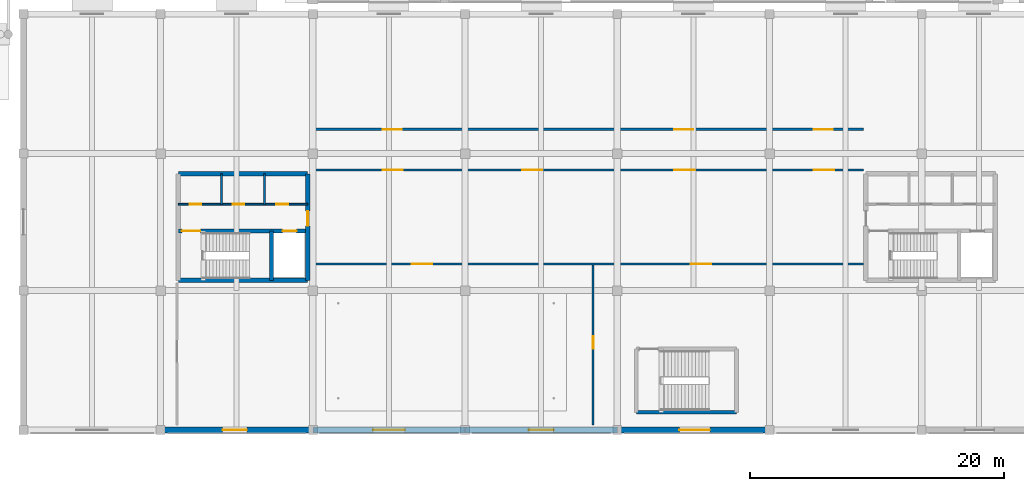
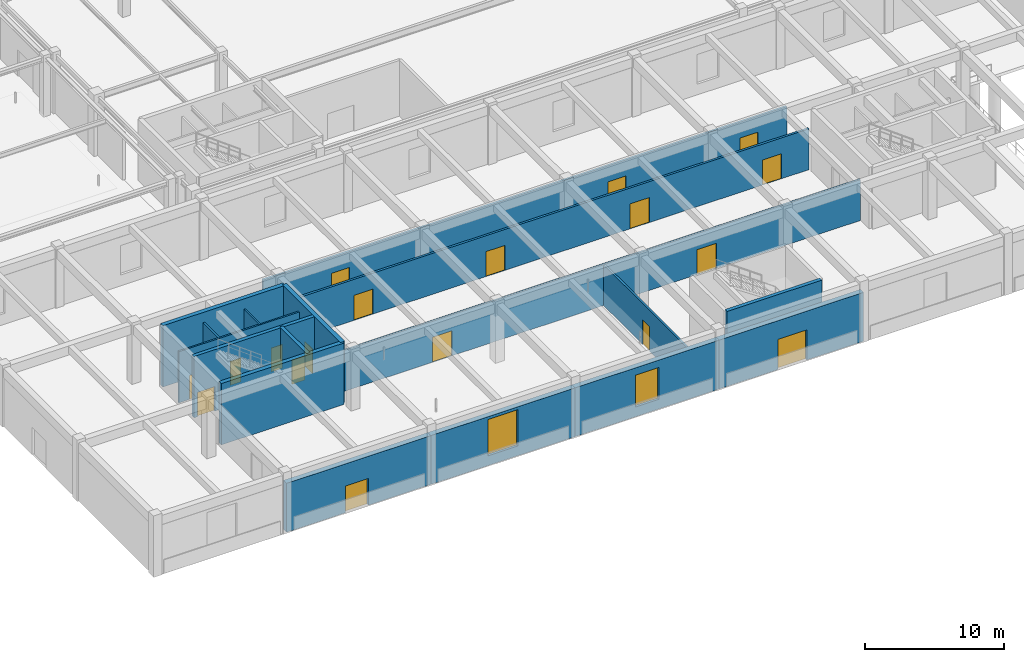
# One storey, part 30 of 53: 18 doors, 17 walls, 2 windows, 20 openings.
"""IFC4 building model written with IfcOpenShell, lengths in metres."""

from ifc_helpers import new_model, si_unit, derived_unit, direction, frame, frame_2d, origin, place, context, subcontext, project, spatial, rectangle, extrude, material, layer, layer_set, type_object, element, fill, save


model = new_model("IFC4")

# Units and contexts
model_context = context("Model", 3, precision=1e-05, world=origin(), true_north=direction((0.0, 1.0)))
body_context = subcontext(model_context, "Body", "Model", "MODEL_VIEW")
ifc_project = project(units=[si_unit("LENGTHUNIT", "METRE"), si_unit("AREAUNIT", "SQUARE_METRE"), si_unit("VOLUMEUNIT", "CUBIC_METRE"), si_unit("PLANEANGLEUNIT", "RADIAN"), si_unit("MASSUNIT", "GRAM", prefix="KILO"), derived_unit("THERMALTRANSMITTANCEUNIT", [(si_unit("POWERUNIT", "WATT"), 1), (si_unit("LENGTHUNIT", "METRE"), -2), (si_unit("THERMODYNAMICTEMPERATUREUNIT", "KELVIN"), -1)])], contexts=[model_context])

# Site, building, storey
site_placement = place(None, origin())
site = spatial("IfcSite", under=ifc_project, at=site_placement, CompositionType="ELEMENT")
building_placement = place(site_placement, origin())
building = spatial("IfcBuilding", under=site, at=building_placement, Name="Almenara Railside Exhibition Hall", CompositionType="ELEMENT")
storey_placement = place(building_placement, origin())
storey = spatial("IfcBuildingStorey", under=building, at=storey_placement, Name="L00", CompositionType="ELEMENT", Elevation=0.0)

# Wall, opening, door
ifc_material_1 = material(Name="Double-stud acoustic gypsum partition")
ifc_layer_1 = layer(ifc_material_1, 0.159912109375, Name="Double-stud acoustic gypsum partition")
ifc_layer_set_1 = layer_set([ifc_layer_1], Name="Double-stud acoustic gypsum partition")
wall_type_1 = type_object("IfcWallType", Name="Acoustic Congress Partition 160mm", PredefinedType="PARTITIONING", material=ifc_layer_set_1)
wall_1_placement = place(storey_placement, frame((160.10009765625, 0.39990234375, 0.0), z_axis=(0.0, 0.0, 1.0), x_axis=(0.0, 1.0, 0.0)))
wall_1 = element("IfcWall", 1, at=wall_1_placement, inside=storey, type_object=wall_type_1, Name="Interior wall 0372", PredefinedType="PARTITIONING", context=body_context, shape_type="SweptSolid", body=[
    extrude(rectangle(XDim=12.60009765625, YDim=0.159912109375, at=frame_2d((6.300048828125, 0.0))), origin(), (0.0, 0.0, 1.0), 3.60009765625),
])
opening_1_placement = place(wall_1_placement, frame((6.0, 0.0, 0.0)))
opening_1 = element("IfcOpeningElement", 2, at=opening_1_placement, cuts=wall_1, Name="Opening ID-10", PredefinedType="OPENING", context=body_context, shape_type="SweptSolid", body=[
    extrude(rectangle(XDim=1.0, YDim=2.14990234375, at=frame_2d((0.5, 1.074951171875))), frame((0.0, 0.08984375, 0.0), z_axis=(0.0, -1.0, 0.0), x_axis=(1.0, 0.0, 0.0)), (0.0, 0.0, 1.0), 0.179931640625),
])
ifc_material_2 = material(Name="Iroko hardwood single door", Category="wood")
door_type_1 = type_object("IfcDoorType", Name="Standard Room Single Door 1000x2150", OperationType="NOTDEFINED", PredefinedType="DOOR", material=ifc_material_2)
door_1_placement = place(opening_1_placement, origin())
door_1 = element("IfcDoor", 3, at=door_1_placement, inside=storey, type_object=door_type_1, Name="Interior door ID-10-234", OperationType="SINGLE_SWING_RIGHT", OverallHeight=2.14990234375, OverallWidth=1.0, PredefinedType="DOOR", context=body_context, shape_type="SweptSolid", body=[
    extrude(rectangle(XDim=1.0, YDim=2.14990234375, at=frame_2d((0.5, 1.074951171875))), frame((0.0, 0.02490234375, 0.0), z_axis=(0.0, -1.0, 0.0), x_axis=(1.0, 0.0, 0.0)), (0.0, 0.0, 1.0), 0.050048828125),
])
fill(opening_1, door_1)

# Wall, openings, doors
wall_2_placement = place(storey_placement, frame((137.800048828125, 13.10009765625, 0.0), z_axis=(0.0, 0.0, 1.0), x_axis=(1.0, 0.0, 0.0)))
wall_2 = element("IfcWall", 4, at=wall_2_placement, inside=storey, type_object=wall_type_1, Name="Interior wall 0373", PredefinedType="PARTITIONING", context=body_context, shape_type="SweptSolid", body=[
    extrude(rectangle(XDim=43.599853515625, YDim=0.159912109375, at=frame_2d((21.7998046875, 0.0))), origin(), (0.0, 0.0, 1.0), 3.60009765625),
])
opening_2_placement = place(wall_2_placement, frame((8.0, 0.0, 0.0)))
opening_2 = element("IfcOpeningElement", 5, at=opening_2_placement, cuts=wall_2, Name="Opening ID-16", PredefinedType="OPENING", context=body_context, shape_type="SweptSolid", body=[
    extrude(rectangle(XDim=1.60009765625, YDim=2.199951171875, at=frame_2d((0.800048828125, 1.10009765625))), frame((0.0, 0.08984375, 0.0), z_axis=(0.0, -1.0, 0.0), x_axis=(1.0, 0.0, 0.0)), (0.0, 0.0, 1.0), 0.179931640625),
])
opening_3_placement = place(wall_2_placement, frame((30.0, 0.0, 0.0)))
opening_3 = element("IfcOpeningElement", 6, at=opening_3_placement, cuts=wall_2, Name="Opening ID-16", PredefinedType="OPENING", context=body_context, shape_type="SweptSolid", body=[
    extrude(rectangle(XDim=1.60009765625, YDim=2.199951171875, at=frame_2d((0.800048828125, 1.10009765625))), frame((0.0, 0.08984375, 0.0), z_axis=(0.0, -1.0, 0.0), x_axis=(1.0, 0.0, 0.0)), (0.0, 0.0, 1.0), 0.179931640625),
])
ifc_material_3 = material(Name="Iroko hardwood double door", Category="wood")
door_type_2 = type_object("IfcDoorType", Name="Meeting Suite Double Door 1600x2200", OperationType="NOTDEFINED", PredefinedType="DOOR", material=ifc_material_3)
door_2_placement = place(opening_2_placement, origin())
door_2 = element("IfcDoor", 7, at=door_2_placement, inside=storey, type_object=door_type_2, Name="Interior door ID-16-235", OperationType="DOUBLE_DOOR_SINGLE_SWING", OverallHeight=2.199951171875, OverallWidth=1.60009765625, PredefinedType="DOOR", context=body_context, shape_type="SweptSolid", body=[
    extrude(rectangle(XDim=1.60009765625, YDim=2.199951171875, at=frame_2d((0.800048828125, 1.10009765625))), frame((0.0, 0.02490234375, 0.0), z_axis=(0.0, -1.0, 0.0), x_axis=(1.0, 0.0, 0.0)), (0.0, 0.0, 1.0), 0.050048828125),
])
fill(opening_2, door_2)
door_3_placement = place(opening_3_placement, origin())
door_3 = element("IfcDoor", 8, at=door_3_placement, inside=storey, type_object=door_type_2, Name="Interior door ID-16-236", OperationType="DOUBLE_DOOR_SINGLE_SWING", OverallHeight=2.199951171875, OverallWidth=1.60009765625, PredefinedType="DOOR", context=body_context, shape_type="SweptSolid", body=[
    extrude(rectangle(XDim=1.60009765625, YDim=2.199951171875, at=frame_2d((0.800048828125, 1.10009765625))), frame((0.0, 0.02490234375, 0.0), z_axis=(0.0, -1.0, 0.0), x_axis=(1.0, 0.0, 0.0)), (0.0, 0.0, 1.0), 0.050048828125),
])
fill(opening_3, door_3)

# Walls
ifc_material_4 = material(Name="Concrete C35/45", Category="concrete")
ifc_layer_2 = layer(ifc_material_4, 0.35009765625, Name="Concrete C35/45")
ifc_layer_set_2 = layer_set([ifc_layer_2], Name="Concrete C35/45")
wall_type_2 = type_object("IfcWallType", Name="Core Coupled Shear Wall 350mm C35/45", PredefinedType="SHEAR", material=ifc_layer_set_2)
for number, where, z_axis, x_axis, name in (
    (9, (127.39990234375, 11.800048828125, 0.0), (0.0, 0.0, 1.0), (1.0, 0.0, 0.0), "Interior wall 0109"),
    (10, (137.60009765625, 20.199951171875, 0.0), (0.0, 0.0, 1.0), (-1.0, 0.0, 0.0), "Interior wall 0110"),
):
    element("IfcWall", number, at=place(storey_placement, frame(where, z_axis=z_axis, x_axis=x_axis)), inside=storey, type_object=wall_type_2, Name=name, PredefinedType="SHEAR", context=body_context, shape_type="SweptSolid", body=[
        extrude(rectangle(XDim=10.2001953125, YDim=0.35009765625, at=frame_2d((5.10009765625, 0.0))), origin(), (0.0, 0.0, 1.0), 5.39990234375),
    ])

# Wall, opening, door
wall_3_placement = place(storey_placement, frame((137.60009765625, 11.800048828125, 0.0), z_axis=(0.0, 0.0, 1.0), x_axis=(0.0, 1.0, 0.0)))
wall_3 = element("IfcWall", 11, at=wall_3_placement, inside=storey, type_object=wall_type_2, Name="Interior wall 0112", PredefinedType="SHEAR", context=body_context, shape_type="SweptSolid", body=[
    extrude(rectangle(XDim=8.39990234375, YDim=0.35009765625, at=frame_2d((4.199951171875, 0.0))), origin(), (0.0, 0.0, 1.0), 5.39990234375),
])
opening_4_placement = place(wall_3_placement, frame((4.300048828125, 0.0, 0.0)))
opening_4 = element("IfcOpeningElement", 12, at=opening_4_placement, cuts=wall_3, Name="Opening FD-115", PredefinedType="OPENING", context=body_context, shape_type="SweptSolid", body=[
    extrude(rectangle(XDim=1.14990234375, YDim=2.14990234375, at=frame_2d((0.574951171875, 1.074951171875))), frame((0.0, 0.18505859375, 0.0), z_axis=(0.0, -1.0, 0.0), x_axis=(1.0, 0.0, 0.0)), (0.0, 0.0, 1.0), 0.3701171875),
])
ifc_material_5 = material(Name="Fire-rated iroko timber door", Category="wood")
door_type_3 = type_object("IfcDoorType", Name="Core Lobby Fire Door 1150x2150 EI60", OperationType="NOTDEFINED", PredefinedType="DOOR", material=ifc_material_5)
door_4_placement = place(opening_4_placement, frame((1.14990234375, 0.0, 0.0), z_axis=(0.0, 0.0, 1.0), x_axis=(-1.0, 0.0, 0.0)))
door_4 = element("IfcDoor", 13, at=door_4_placement, inside=storey, type_object=door_type_3, Name="Interior door FD-115-073", OperationType="SINGLE_SWING_LEFT", OverallHeight=2.14990234375, OverallWidth=1.14990234375, PredefinedType="DOOR", context=body_context, shape_type="SweptSolid", body=[
    extrude(rectangle(XDim=1.14990234375, YDim=2.14990234375, at=frame_2d((0.574951171875, 1.074951171875))), frame((0.0, 0.02490234375, 0.0), z_axis=(0.0, -1.0, 0.0), x_axis=(1.0, 0.0, 0.0)), (0.0, 0.0, 1.0), 0.050048828125),
])
fill(opening_4, door_4)

# Wall, openings, doors
ifc_material_6 = material(Name="Fire-rated gypsum and masonry partition", Category="masonry")
ifc_layer_3 = layer(ifc_material_6, 0.18505859375, Name="Fire-rated gypsum and masonry partition")
ifc_layer_set_3 = layer_set([ifc_layer_3], Name="Fire-rated gypsum and masonry partition")
wall_type_3 = type_object("IfcWallType", Name="Corridor Fire Partition 185mm", PredefinedType="PARTITIONING", material=ifc_layer_set_3)
wall_4_placement = place(storey_placement, frame((137.800048828125, 20.5, 0.0), z_axis=(0.0, 0.0, 1.0), x_axis=(1.0, 0.0, 0.0)))
wall_4 = element("IfcWall", 14, at=wall_4_placement, inside=storey, type_object=wall_type_3, Name="Interior wall 0370", PredefinedType="PARTITIONING", context=body_context, shape_type="SweptSolid", body=[
    extrude(rectangle(XDim=43.599853515625, YDim=0.18505859375, at=frame_2d((21.7998046875, 0.0))), origin(), (0.0, 0.0, 1.0), 3.60009765625),
])
opening_5_placement = place(wall_4_placement, frame((5.699951171875, 0.0, 0.0)))
opening_5 = element("IfcOpeningElement", 15, at=opening_5_placement, cuts=wall_4, Name="Opening ID-16", PredefinedType="OPENING", context=body_context, shape_type="SweptSolid", body=[
    extrude(rectangle(XDim=1.60009765625, YDim=2.199951171875, at=frame_2d((0.800048828125, 1.10009765625))), frame((0.0, 0.1025390625, 0.0), z_axis=(0.0, -1.0, 0.0), x_axis=(1.0, 0.0, 0.0)), (0.0, 0.0, 1.0), 0.205078125),
])
opening_6_placement = place(wall_4_placement, frame((28.699951171875, 0.0, 0.0)))
opening_6 = element("IfcOpeningElement", 16, at=opening_6_placement, cuts=wall_4, Name="Opening ID-16", PredefinedType="OPENING", context=body_context, shape_type="SweptSolid", body=[
    extrude(rectangle(XDim=1.60009765625, YDim=2.199951171875, at=frame_2d((0.800048828125, 1.10009765625))), frame((0.0, 0.1025390625, 0.0), z_axis=(0.0, -1.0, 0.0), x_axis=(1.0, 0.0, 0.0)), (0.0, 0.0, 1.0), 0.205078125),
])
opening_7_placement = place(wall_4_placement, frame((39.699951171875, 0.0, 0.0)))
opening_7 = element("IfcOpeningElement", 17, at=opening_7_placement, cuts=wall_4, Name="Opening ID-16", PredefinedType="OPENING", context=body_context, shape_type="SweptSolid", body=[
    extrude(rectangle(XDim=1.60009765625, YDim=2.199951171875, at=frame_2d((0.800048828125, 1.10009765625))), frame((0.0, 0.1025390625, 0.0), z_axis=(0.0, -1.0, 0.0), x_axis=(1.0, 0.0, 0.0)), (0.0, 0.0, 1.0), 0.205078125),
])
opening_8_placement = place(wall_4_placement, frame((16.699951171875, 0.0, 0.0)))
opening_8 = element("IfcOpeningElement", 18, at=opening_8_placement, cuts=wall_4, Name="Opening ID-16", PredefinedType="OPENING", context=body_context, shape_type="SweptSolid", body=[
    extrude(rectangle(XDim=1.60009765625, YDim=2.199951171875, at=frame_2d((0.800048828125, 1.10009765625))), frame((0.0, 0.1025390625, 0.0), z_axis=(0.0, -1.0, 0.0), x_axis=(1.0, 0.0, 0.0)), (0.0, 0.0, 1.0), 0.205078125),
])
door_5_placement = place(opening_5_placement, origin())
door_5 = element("IfcDoor", 19, at=door_5_placement, inside=storey, type_object=door_type_2, Name="Interior door ID-16-227", OperationType="DOUBLE_DOOR_SINGLE_SWING", OverallHeight=2.199951171875, OverallWidth=1.60009765625, PredefinedType="DOOR", context=body_context, shape_type="SweptSolid", body=[
    extrude(rectangle(XDim=1.60009765625, YDim=2.199951171875, at=frame_2d((0.800048828125, 1.10009765625))), frame((0.0, 0.02490234375, 0.0), z_axis=(0.0, -1.0, 0.0), x_axis=(1.0, 0.0, 0.0)), (0.0, 0.0, 1.0), 0.050048828125),
])
fill(opening_5, door_5)
door_6_placement = place(opening_6_placement, origin())
door_6 = element("IfcDoor", 20, at=door_6_placement, inside=storey, type_object=door_type_2, Name="Interior door ID-16-229", OperationType="DOUBLE_DOOR_SINGLE_SWING", OverallHeight=2.199951171875, OverallWidth=1.60009765625, PredefinedType="DOOR", context=body_context, shape_type="SweptSolid", body=[
    extrude(rectangle(XDim=1.60009765625, YDim=2.199951171875, at=frame_2d((0.800048828125, 1.10009765625))), frame((0.0, 0.02490234375, 0.0), z_axis=(0.0, -1.0, 0.0), x_axis=(1.0, 0.0, 0.0)), (0.0, 0.0, 1.0), 0.050048828125),
])
fill(opening_6, door_6)
door_7_placement = place(opening_7_placement, origin())
door_7 = element("IfcDoor", 21, at=door_7_placement, inside=storey, type_object=door_type_2, Name="Interior door ID-16-231", OperationType="DOUBLE_DOOR_SINGLE_SWING", OverallHeight=2.199951171875, OverallWidth=1.60009765625, PredefinedType="DOOR", context=body_context, shape_type="SweptSolid", body=[
    extrude(rectangle(XDim=1.60009765625, YDim=2.199951171875, at=frame_2d((0.800048828125, 1.10009765625))), frame((0.0, 0.02490234375, 0.0), z_axis=(0.0, -1.0, 0.0), x_axis=(1.0, 0.0, 0.0)), (0.0, 0.0, 1.0), 0.050048828125),
])
fill(opening_7, door_7)
door_8_placement = place(opening_8_placement, origin())
door_8 = element("IfcDoor", 22, at=door_8_placement, inside=storey, type_object=door_type_2, Name="Interior door ID-16-233", OperationType="DOUBLE_DOOR_SINGLE_SWING", OverallHeight=2.199951171875, OverallWidth=1.60009765625, PredefinedType="DOOR", context=body_context, shape_type="SweptSolid", body=[
    extrude(rectangle(XDim=1.60009765625, YDim=2.199951171875, at=frame_2d((0.800048828125, 1.10009765625))), frame((0.0, 0.02490234375, 0.0), z_axis=(0.0, -1.0, 0.0), x_axis=(1.0, 0.0, 0.0)), (0.0, 0.0, 1.0), 0.050048828125),
])
fill(opening_8, door_8)

wall_5_placement = place(storey_placement, frame((137.800048828125, 23.699951171875, 0.0), z_axis=(0.0, 0.0, 1.0), x_axis=(1.0, 0.0, 0.0)))
wall_5 = element("IfcWall", 23, at=wall_5_placement, inside=storey, type_object=wall_type_3, Name="Interior wall 0371", PredefinedType="PARTITIONING", context=body_context, shape_type="SweptSolid", body=[
    extrude(rectangle(XDim=43.599853515625, YDim=0.18505859375, at=frame_2d((21.7998046875, 0.0))), origin(), (0.0, 0.0, 1.0), 3.60009765625),
])
opening_9_placement = place(wall_5_placement, frame((5.699951171875, 0.0, 0.0)))
opening_9 = element("IfcOpeningElement", 24, at=opening_9_placement, cuts=wall_5, Name="Opening ID-15", PredefinedType="OPENING", context=body_context, shape_type="SweptSolid", body=[
    extrude(rectangle(XDim=1.5, YDim=2.199951171875, at=frame_2d((0.75, 1.10009765625))), frame((0.0, 0.1025390625, 0.0), z_axis=(0.0, -1.0, 0.0), x_axis=(1.0, 0.0, 0.0)), (0.0, 0.0, 1.0), 0.205078125),
])
opening_10_placement = place(wall_5_placement, frame((28.699951171875, 0.0, 0.0)))
opening_10 = element("IfcOpeningElement", 25, at=opening_10_placement, cuts=wall_5, Name="Opening ID-15", PredefinedType="OPENING", context=body_context, shape_type="SweptSolid", body=[
    extrude(rectangle(XDim=1.5, YDim=2.199951171875, at=frame_2d((0.75, 1.10009765625))), frame((0.0, 0.1025390625, 0.0), z_axis=(0.0, -1.0, 0.0), x_axis=(1.0, 0.0, 0.0)), (0.0, 0.0, 1.0), 0.205078125),
])
opening_11_placement = place(wall_5_placement, frame((39.699951171875, 0.0, 0.0)))
opening_11 = element("IfcOpeningElement", 26, at=opening_11_placement, cuts=wall_5, Name="Opening ID-15", PredefinedType="OPENING", context=body_context, shape_type="SweptSolid", body=[
    extrude(rectangle(XDim=1.5, YDim=2.199951171875, at=frame_2d((0.75, 1.10009765625))), frame((0.0, 0.1025390625, 0.0), z_axis=(0.0, -1.0, 0.0), x_axis=(1.0, 0.0, 0.0)), (0.0, 0.0, 1.0), 0.205078125),
])
door_type_4 = type_object("IfcDoorType", Name="Gallery Double Door 1500x2200", OperationType="NOTDEFINED", PredefinedType="DOOR", material=ifc_material_3)
door_9_placement = place(opening_9_placement, origin())
door_9 = element("IfcDoor", 27, at=door_9_placement, inside=storey, type_object=door_type_4, Name="Interior door ID-15-228", OperationType="DOUBLE_DOOR_SINGLE_SWING", OverallHeight=2.199951171875, OverallWidth=1.5, PredefinedType="DOOR", context=body_context, shape_type="SweptSolid", body=[
    extrude(rectangle(XDim=1.5, YDim=2.199951171875, at=frame_2d((0.75, 1.10009765625))), frame((0.0, 0.02490234375, 0.0), z_axis=(0.0, -1.0, 0.0), x_axis=(1.0, 0.0, 0.0)), (0.0, 0.0, 1.0), 0.050048828125),
])
fill(opening_9, door_9)
door_10_placement = place(opening_10_placement, origin())
door_10 = element("IfcDoor", 28, at=door_10_placement, inside=storey, type_object=door_type_4, Name="Interior door ID-15-230", OperationType="DOUBLE_DOOR_SINGLE_SWING", OverallHeight=2.199951171875, OverallWidth=1.5, PredefinedType="DOOR", context=body_context, shape_type="SweptSolid", body=[
    extrude(rectangle(XDim=1.5, YDim=2.199951171875, at=frame_2d((0.75, 1.10009765625))), frame((0.0, 0.02490234375, 0.0), z_axis=(0.0, -1.0, 0.0), x_axis=(1.0, 0.0, 0.0)), (0.0, 0.0, 1.0), 0.050048828125),
])
fill(opening_10, door_10)
door_11_placement = place(opening_11_placement, origin())
door_11 = element("IfcDoor", 29, at=door_11_placement, inside=storey, type_object=door_type_4, Name="Interior door ID-15-232", OperationType="DOUBLE_DOOR_SINGLE_SWING", OverallHeight=2.199951171875, OverallWidth=1.5, PredefinedType="DOOR", context=body_context, shape_type="SweptSolid", body=[
    extrude(rectangle(XDim=1.5, YDim=2.199951171875, at=frame_2d((0.75, 1.10009765625))), frame((0.0, 0.02490234375, 0.0), z_axis=(0.0, -1.0, 0.0), x_axis=(1.0, 0.0, 0.0)), (0.0, 0.0, 1.0), 0.050048828125),
])
fill(opening_11, door_11)

# Wall, opening, door
ifc_material_7 = material(Name="Ochre-white lime-rendered masonry over Concrete C35/45", Category="masonry")
ifc_layer_4 = layer(ifc_material_7, 0.449951171875, Name="Ochre-white lime-rendered masonry over Concrete C35/45")
ifc_layer_set_4 = layer_set([ifc_layer_4], Name="Ochre-white lime-rendered masonry over Concrete C35/45")
wall_type_4 = type_object("IfcWallType", Name="Exterior Civic Stucco Wall 450mm C35/45", PredefinedType="SOLIDWALL", material=ifc_layer_set_4)
wall_6_placement = place(storey_placement, frame((126.0, 0.0, 0.0), z_axis=(0.0, 0.0, 1.0), x_axis=(1.0, 0.0, 0.0)))
wall_6 = element("IfcWall", 30, at=wall_6_placement, inside=storey, type_object=wall_type_4, Name="Exterior wall 0174", PredefinedType="SOLIDWALL", context=body_context, shape_type="SweptSolid", body=[
    extrude(rectangle(XDim=12.0, YDim=0.449951171875, at=frame_2d((6.0, 0.0))), origin(), (0.0, 0.0, 1.0), 4.300048828125),
])
opening_12_placement = place(wall_6_placement, frame((4.89990234375, 0.0, 0.0)))
opening_12 = element("IfcOpeningElement", 31, at=opening_12_placement, cuts=wall_6, Name="Opening ED-24", PredefinedType="OPENING", context=body_context, shape_type="SweptSolid", body=[
    extrude(rectangle(XDim=1.89990234375, YDim=2.35009765625, at=frame_2d((0.949951171875, 1.175048828125))), frame((0.0, 0.23486328125, 0.0), z_axis=(0.0, -1.0, 0.0), x_axis=(1.0, 0.0, 0.0)), (0.0, 0.0, 1.0), 0.469970703125),
])
ifc_material_8 = material(Name="Bronze-anodised glazed escape door")
door_type_5 = type_object("IfcDoorType", Name="Congress Double Escape Door 1900x2350", OperationType="NOTDEFINED", PredefinedType="DOOR", material=ifc_material_8)
door_12_placement = place(opening_12_placement, frame((1.89990234375, 0.0, 0.0), z_axis=(0.0, 0.0, 1.0), x_axis=(-1.0, 0.0, 0.0)))
door_12 = element("IfcDoor", 32, at=door_12_placement, inside=storey, type_object=door_type_5, Name="Exterior door ED-24", OperationType="DOUBLE_DOOR_SINGLE_SWING", OverallHeight=2.35009765625, OverallWidth=1.89990234375, PredefinedType="DOOR", context=body_context, shape_type="SweptSolid", body=[
    extrude(rectangle(XDim=1.89990234375, YDim=2.35009765625, at=frame_2d((0.949951171875, 1.175048828125))), frame((0.0, 0.02490234375, 0.0), z_axis=(0.0, -1.0, 0.0), x_axis=(1.0, 0.0, 0.0)), (0.0, 0.0, 1.0), 0.050048828125),
])
fill(opening_12, door_12)

# Wall, opening, window
wall_7_placement = place(storey_placement, frame((138.0, 0.0, 0.0), z_axis=(0.0, 0.0, 1.0), x_axis=(1.0, 0.0, 0.0)))
wall_7 = element("IfcWall", 33, at=wall_7_placement, inside=storey, type_object=wall_type_4, Name="Exterior wall 0176", PredefinedType="SOLIDWALL", context=body_context, shape_type="SweptSolid", body=[
    extrude(rectangle(XDim=12.0, YDim=0.449951171875, at=frame_2d((6.0, 0.0))), origin(), (0.0, 0.0, 1.0), 4.300048828125),
])
opening_13_placement = place(wall_7_placement, frame((4.75, 0.0, 0.85009765625)))
opening_13 = element("IfcOpeningElement", 34, at=opening_13_placement, cuts=wall_7, Name="Opening W-01", PredefinedType="OPENING", context=body_context, shape_type="SweptSolid", body=[
    extrude(rectangle(XDim=2.5, YDim=3.199951171875, at=frame_2d((1.25, 1.60009765625))), frame((0.0, 0.23486328125, 0.0), z_axis=(0.0, -1.0, 0.0), x_axis=(1.0, 0.0, 0.0)), (0.0, 0.0, 1.0), 0.469970703125),
])
ifc_material_9 = material(Name="Bronze-anodised aluminium and low-E double glazing", Category="aluminium")
window_type_1 = type_object("IfcWindowType", Name="Arched Congress Grand Window 2500x3200", PartitioningType="DOUBLE_PANEL_VERTICAL", PredefinedType="WINDOW", material=ifc_material_9)
window_1_placement = place(opening_13_placement, origin())
window_1 = element("IfcWindow", 35, at=window_1_placement, inside=storey, type_object=window_type_1, Name="Window 0044", OverallHeight=3.199951171875, OverallWidth=2.5, PartitioningType="DOUBLE_PANEL_VERTICAL", PredefinedType="WINDOW", context=body_context, shape_type="SweptSolid", body=[
    extrude(rectangle(XDim=2.5, YDim=3.199951171875, at=frame_2d((1.25, 1.60009765625))), frame((0.0, 0.030029296875, 0.0), z_axis=(0.0, -1.0, 0.0), x_axis=(1.0, 0.0, 0.0)), (0.0, 0.0, 1.0), 0.06005859375),
])
fill(opening_13, window_1)

wall_8_placement = place(storey_placement, frame((150.0, 0.0, 0.0), z_axis=(0.0, 0.0, 1.0), x_axis=(1.0, 0.0, 0.0)))
wall_8 = element("IfcWall", 36, at=wall_8_placement, inside=storey, type_object=wall_type_4, Name="Exterior wall 0178", PredefinedType="SOLIDWALL", context=body_context, shape_type="SweptSolid", body=[
    extrude(rectangle(XDim=12.0, YDim=0.449951171875, at=frame_2d((6.0, 0.0))), origin(), (0.0, 0.0, 1.0), 4.300048828125),
])
opening_14_placement = place(wall_8_placement, frame((5.02490234375, 0.0, 0.85009765625)))
opening_14 = element("IfcOpeningElement", 37, at=opening_14_placement, cuts=wall_8, Name="Opening W-04", PredefinedType="OPENING", context=body_context, shape_type="SweptSolid", body=[
    extrude(rectangle(XDim=1.949951171875, YDim=2.800048828125, at=frame_2d((0.97509765625, 1.39990234375))), frame((0.0, 0.23486328125, 0.0), z_axis=(0.0, -1.0, 0.0), x_axis=(1.0, 0.0, 0.0)), (0.0, 0.0, 1.0), 0.469970703125),
])
window_type_2 = type_object("IfcWindowType", Name="Community Forum Window 1950x2800", PartitioningType="DOUBLE_PANEL_VERTICAL", PredefinedType="WINDOW", material=ifc_material_9)
window_2_placement = place(opening_14_placement, origin())
window_2 = element("IfcWindow", 38, at=window_2_placement, inside=storey, type_object=window_type_2, Name="Window 0046", OverallHeight=2.800048828125, OverallWidth=1.949951171875, PartitioningType="DOUBLE_PANEL_VERTICAL", PredefinedType="WINDOW", context=body_context, shape_type="SweptSolid", body=[
    extrude(rectangle(XDim=1.949951171875, YDim=2.800048828125, at=frame_2d((0.97509765625, 1.39990234375))), frame((0.0, 0.030029296875, 0.0), z_axis=(0.0, -1.0, 0.0), x_axis=(1.0, 0.0, 0.0)), (0.0, 0.0, 1.0), 0.06005859375),
])
fill(opening_14, window_2)

# Wall, opening, door
wall_9_placement = place(storey_placement, frame((162.0, 0.0, 0.0), z_axis=(0.0, 0.0, 1.0), x_axis=(1.0, 0.0, 0.0)))
wall_9 = element("IfcWall", 39, at=wall_9_placement, inside=storey, type_object=wall_type_4, Name="Exterior wall 0180", PredefinedType="SOLIDWALL", context=body_context, shape_type="SweptSolid", body=[
    extrude(rectangle(XDim=12.0, YDim=0.449951171875, at=frame_2d((6.0, 0.0))), origin(), (0.0, 0.0, 1.0), 4.300048828125),
])
opening_15_placement = place(wall_9_placement, frame((4.89990234375, 0.0, 0.0)))
opening_15 = element("IfcOpeningElement", 40, at=opening_15_placement, cuts=wall_9, Name="Opening ED-25", PredefinedType="OPENING", context=body_context, shape_type="SweptSolid", body=[
    extrude(rectangle(XDim=2.39990234375, YDim=2.64990234375, at=frame_2d((1.199951171875, 1.324951171875))), frame((0.0, 0.23486328125, 0.0), z_axis=(0.0, -1.0, 0.0), x_axis=(1.0, 0.0, 0.0)), (0.0, 0.0, 1.0), 0.469970703125),
])
ifc_material_10 = material(Name="Bronze-anodised glazed entrance door")
door_type_6 = type_object("IfcDoorType", Name="Grand Civic Portal Double Exit Door 2400x2650", OperationType="NOTDEFINED", PredefinedType="DOOR", material=ifc_material_10)
door_13_placement = place(opening_15_placement, frame((2.39990234375, 0.0, 0.0), z_axis=(0.0, 0.0, 1.0), x_axis=(-1.0, 0.0, 0.0)))
door_13 = element("IfcDoor", 41, at=door_13_placement, inside=storey, type_object=door_type_6, Name="Exterior door ED-25", OperationType="DOUBLE_DOOR_SINGLE_SWING", OverallHeight=2.64990234375, OverallWidth=2.39990234375, PredefinedType="DOOR", context=body_context, shape_type="SweptSolid", body=[
    extrude(rectangle(XDim=2.39990234375, YDim=2.64990234375, at=frame_2d((1.199951171875, 1.324951171875))), frame((0.0, 0.02490234375, 0.0), z_axis=(0.0, -1.0, 0.0), x_axis=(1.0, 0.0, 0.0)), (0.0, 0.0, 1.0), 0.050048828125),
])
fill(opening_15, door_13)

# Wall, openings, doors
ifc_material_11 = material(Name="Moisture-resistant tiled masonry partition", Category="masonry")
ifc_layer_5 = layer(ifc_material_11, 0.139892578125, Name="Moisture-resistant tiled masonry partition")
ifc_layer_set_5 = layer_set([ifc_layer_5], Name="Moisture-resistant tiled masonry partition")
wall_type_5 = type_object("IfcWallType", Name="Sanitary Wet-Wall Partition 140mm", PredefinedType="PARTITIONING", material=ifc_layer_set_5)
wall_10_placement = place(storey_placement, frame((127.39990234375, 17.800048828125, 0.0), z_axis=(0.0, 0.0, 1.0), x_axis=(1.0, 0.0, 0.0)))
wall_10 = element("IfcWall", 42, at=wall_10_placement, inside=storey, type_object=wall_type_5, Name="Interior wall 0115", PredefinedType="PARTITIONING", context=body_context, shape_type="SweptSolid", body=[
    extrude(rectangle(XDim=10.2001953125, YDim=0.139892578125, at=frame_2d((5.10009765625, 0.0))), origin(), (0.0, 0.0, 1.0), 4.5),
])
opening_16_placement = place(wall_10_placement, frame((0.89990234375, 0.0, 0.0)))
opening_16 = element("IfcOpeningElement", 43, at=opening_16_placement, cuts=wall_10, Name="Opening ID-09", PredefinedType="OPENING", context=body_context, shape_type="SweptSolid", body=[
    extrude(rectangle(XDim=0.89990234375, YDim=2.10009765625, at=frame_2d((0.449951171875, 1.050048828125))), frame((0.0, 0.079833984375, 0.0), z_axis=(0.0, -1.0, 0.0), x_axis=(1.0, 0.0, 0.0)), (0.0, 0.0, 1.0), 0.159912109375),
])
opening_17_placement = place(wall_10_placement, frame((4.300048828125, 0.0, 0.0)))
opening_17 = element("IfcOpeningElement", 44, at=opening_17_placement, cuts=wall_10, Name="Opening ID-09", PredefinedType="OPENING", context=body_context, shape_type="SweptSolid", body=[
    extrude(rectangle(XDim=0.89990234375, YDim=2.10009765625, at=frame_2d((0.449951171875, 1.050048828125))), frame((0.0, 0.079833984375, 0.0), z_axis=(0.0, -1.0, 0.0), x_axis=(1.0, 0.0, 0.0)), (0.0, 0.0, 1.0), 0.159912109375),
])
opening_18_placement = place(wall_10_placement, frame((7.699951171875, 0.0, 0.0)))
opening_18 = element("IfcOpeningElement", 45, at=opening_18_placement, cuts=wall_10, Name="Opening ID-095", PredefinedType="OPENING", context=body_context, shape_type="SweptSolid", body=[
    extrude(rectangle(XDim=0.949951171875, YDim=2.10009765625, at=frame_2d((0.47509765625, 1.050048828125))), frame((0.0, 0.079833984375, 0.0), z_axis=(0.0, -1.0, 0.0), x_axis=(1.0, 0.0, 0.0)), (0.0, 0.0, 1.0), 0.159912109375),
])
ifc_material_12 = material(Name="Moisture-resistant hardwood door", Category="wood")
door_type_7 = type_object("IfcDoorType", Name="Accessible Toilet Door 950x2100", OperationType="NOTDEFINED", PredefinedType="DOOR", material=ifc_material_12)
door_14_placement = place(opening_18_placement, origin())
door_14 = element("IfcDoor", 46, at=door_14_placement, inside=storey, type_object=door_type_7, Name="Interior door ID-095-078", OperationType="SINGLE_SWING_RIGHT", OverallHeight=2.10009765625, OverallWidth=0.949951171875, PredefinedType="DOOR", context=body_context, shape_type="SweptSolid", body=[
    extrude(rectangle(XDim=0.949951171875, YDim=2.10009765625, at=frame_2d((0.47509765625, 1.050048828125))), frame((0.0, 0.02490234375, 0.0), z_axis=(0.0, -1.0, 0.0), x_axis=(1.0, 0.0, 0.0)), (0.0, 0.0, 1.0), 0.050048828125),
])
fill(opening_18, door_14)
door_type_8 = type_object("IfcDoorType", Name="Sanitary Lobby Single Door 900x2100", OperationType="NOTDEFINED", PredefinedType="DOOR", material=ifc_material_12)
door_15_placement = place(opening_16_placement, origin())
door_15 = element("IfcDoor", 47, at=door_15_placement, inside=storey, type_object=door_type_8, Name="Interior door ID-09-076", OperationType="SINGLE_SWING_RIGHT", OverallHeight=2.10009765625, OverallWidth=0.89990234375, PredefinedType="DOOR", context=body_context, shape_type="SweptSolid", body=[
    extrude(rectangle(XDim=0.89990234375, YDim=2.10009765625, at=frame_2d((0.449951171875, 1.050048828125))), frame((0.0, 0.02490234375, 0.0), z_axis=(0.0, -1.0, 0.0), x_axis=(1.0, 0.0, 0.0)), (0.0, 0.0, 1.0), 0.050048828125),
])
fill(opening_16, door_15)
door_16_placement = place(opening_17_placement, origin())
door_16 = element("IfcDoor", 48, at=door_16_placement, inside=storey, type_object=door_type_8, Name="Interior door ID-09-077", OperationType="SINGLE_SWING_LEFT", OverallHeight=2.10009765625, OverallWidth=0.89990234375, PredefinedType="DOOR", context=body_context, shape_type="SweptSolid", body=[
    extrude(rectangle(XDim=0.89990234375, YDim=2.10009765625, at=frame_2d((0.449951171875, 1.050048828125))), frame((0.0, 0.02490234375, 0.0), z_axis=(0.0, -1.0, 0.0), x_axis=(1.0, 0.0, 0.0)), (0.0, 0.0, 1.0), 0.050048828125),
])
fill(opening_17, door_16)

# Walls
for number, where, z_axis, x_axis, name in (
    (49, (130.800048828125, 17.800048828125, 0.0), (0.0, 0.0, 1.0), (0.0, 1.0, 0.0), "Interior wall 0116"),
    (50, (134.199951171875, 17.800048828125, 0.0), (0.0, 0.0, 1.0), (0.0, 1.0, 0.0), "Interior wall 0117"),
):
    element("IfcWall", number, at=place(storey_placement, frame(where, z_axis=z_axis, x_axis=x_axis)), inside=storey, type_object=wall_type_5, Name=name, PredefinedType="PARTITIONING", context=body_context, shape_type="SweptSolid", body=[
        extrude(rectangle(XDim=2.39990234375, YDim=0.139892578125, at=frame_2d((1.199951171875, 0.0))), origin(), (0.0, 0.0, 1.0), 4.5),
    ])

# Wall, openings, doors
ifc_layer_6 = layer(ifc_material_4, 0.300048828125, Name="Concrete C35/45")
ifc_layer_set_6 = layer_set([ifc_layer_6], Name="Concrete C35/45")
wall_type_6 = type_object("IfcWallType", Name="Stair and Lift Shaft Wall 300mm C35/45", PredefinedType="SHEAR", material=ifc_layer_set_6)
wall_11_placement = place(storey_placement, frame((127.39990234375, 15.699951171875, 0.0), z_axis=(0.0, 0.0, 1.0), x_axis=(1.0, 0.0, 0.0)))
wall_11 = element("IfcWall", 51, at=wall_11_placement, inside=storey, type_object=wall_type_6, Name="Interior wall 0113", PredefinedType="SHEAR", context=body_context, shape_type="SweptSolid", body=[
    extrude(rectangle(XDim=10.2001953125, YDim=0.300048828125, at=frame_2d((5.10009765625, 0.0))), origin(), (0.0, 0.0, 1.0), 5.39990234375),
])
opening_19_placement = place(wall_11_placement, frame((0.280029296875, 0.0, 0.0)))
opening_19 = element("IfcOpeningElement", 52, at=opening_19_placement, cuts=wall_11, Name="Opening FD-145", PredefinedType="OPENING", context=body_context, shape_type="SweptSolid", body=[
    extrude(rectangle(XDim=1.449951171875, YDim=2.14990234375, at=frame_2d((0.72509765625, 1.074951171875))), frame((0.0, 0.159912109375, 0.0), z_axis=(0.0, -1.0, 0.0), x_axis=(1.0, 0.0, 0.0)), (0.0, 0.0, 1.0), 0.320068359375),
])
opening_20_placement = place(wall_11_placement, frame((8.22509765625, 0.0, 0.0)))
opening_20 = element("IfcOpeningElement", 53, at=opening_20_placement, cuts=wall_11, Name="Opening LD-11-C5", PredefinedType="OPENING", context=body_context, shape_type="SweptSolid", body=[
    extrude(rectangle(XDim=1.10009765625, YDim=2.14990234375, at=frame_2d((0.550048828125, 1.074951171875))), frame((0.0, 0.159912109375, 0.0), z_axis=(0.0, -1.0, 0.0), x_axis=(1.0, 0.0, 0.0)), (0.0, 0.0, 1.0), 0.320068359375),
])
ifc_material_13 = material(Name="Steel-framed fire-rated timber door", Category="steel")
door_type_9 = type_object("IfcDoorType", Name="Fire Escape Stair Door 1450x2150 EI60", OperationType="NOTDEFINED", PredefinedType="DOOR", material=ifc_material_13)
door_17_placement = place(opening_19_placement, origin())
door_17 = element("IfcDoor", 54, at=door_17_placement, inside=storey, type_object=door_type_9, Name="Interior door FD-145-074", OperationType="DOUBLE_DOOR_SINGLE_SWING", OverallHeight=2.14990234375, OverallWidth=1.449951171875, PredefinedType="DOOR", context=body_context, shape_type="SweptSolid", body=[
    extrude(rectangle(XDim=1.449951171875, YDim=2.14990234375, at=frame_2d((0.72509765625, 1.074951171875))), frame((0.0, 0.02490234375, 0.0), z_axis=(0.0, -1.0, 0.0), x_axis=(1.0, 0.0, 0.0)), (0.0, 0.0, 1.0), 0.050048828125),
])
fill(opening_19, door_17)
ifc_material_14 = material(Name="Brushed bronze-stainless steel sliding landing door", Category="steel")
door_type_10 = type_object("IfcDoorType", Name="Passenger Lift Sliding Landing Door 1100x2150", OperationType="DOUBLE_DOOR_SLIDING", PredefinedType="DOOR", material=ifc_material_14)
door_18_placement = place(opening_20_placement, origin())
door_18 = element("IfcDoor", 55, at=door_18_placement, inside=storey, type_object=door_type_10, Name="Interior door LD-11-C5-075", OperationType="DOUBLE_DOOR_SLIDING", OverallHeight=2.14990234375, OverallWidth=1.10009765625, PredefinedType="DOOR", context=body_context, shape_type="SweptSolid", body=[
    extrude(rectangle(XDim=1.10009765625, YDim=2.14990234375, at=frame_2d((0.550048828125, 1.074951171875))), frame((0.0, 0.02490234375, 0.0), z_axis=(0.0, -1.0, 0.0), x_axis=(1.0, 0.0, 0.0)), (0.0, 0.0, 1.0), 0.050048828125),
])
fill(opening_20, door_18)

# Walls
wall_12_placement = place(storey_placement, frame((134.75, 11.800048828125, 0.0), z_axis=(0.0, 0.0, 1.0), x_axis=(0.0, 1.0, 0.0)))
element("IfcWall", 56, at=wall_12_placement, inside=storey, type_object=wall_type_6, Name="Interior wall 0114", PredefinedType="SHEAR", context=body_context, shape_type="SweptSolid", body=[
    extrude(rectangle(XDim=3.89990234375, YDim=0.300048828125, at=frame_2d((1.949951171875, 0.0))), origin(), (0.0, 0.0, 1.0), 5.39990234375),
])
wall_13_placement = place(storey_placement, frame((163.5, 1.39990234375, 0.0), z_axis=(0.0, 0.0, 1.0), x_axis=(1.0, 0.0, 0.0)))
element("IfcWall", 57, at=wall_13_placement, inside=storey, type_object=wall_type_6, Name="Interior wall 0316", PredefinedType="SHEAR", context=body_context, shape_type="SweptSolid", body=[
    extrude(rectangle(XDim=7.89990234375, YDim=0.300048828125, at=frame_2d((3.949951171875, 0.0))), origin(), (0.0, 0.0, 1.0), 5.39990234375),
])

save(model, "model.ifc")
